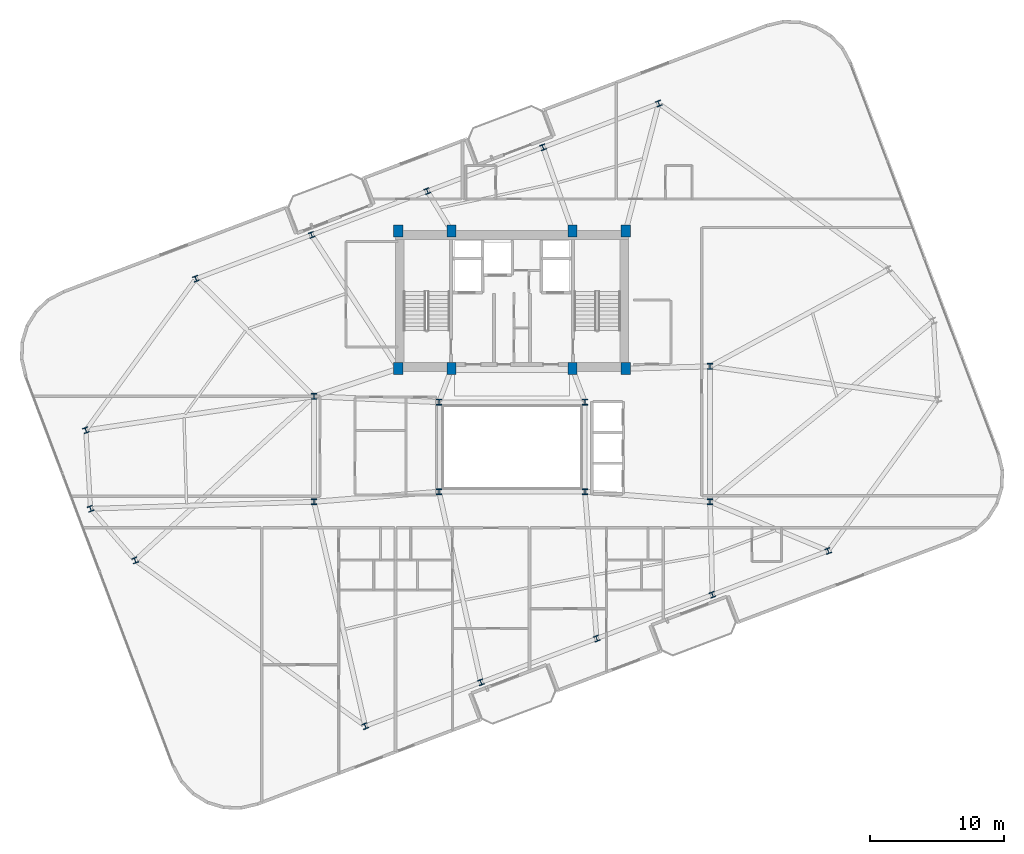
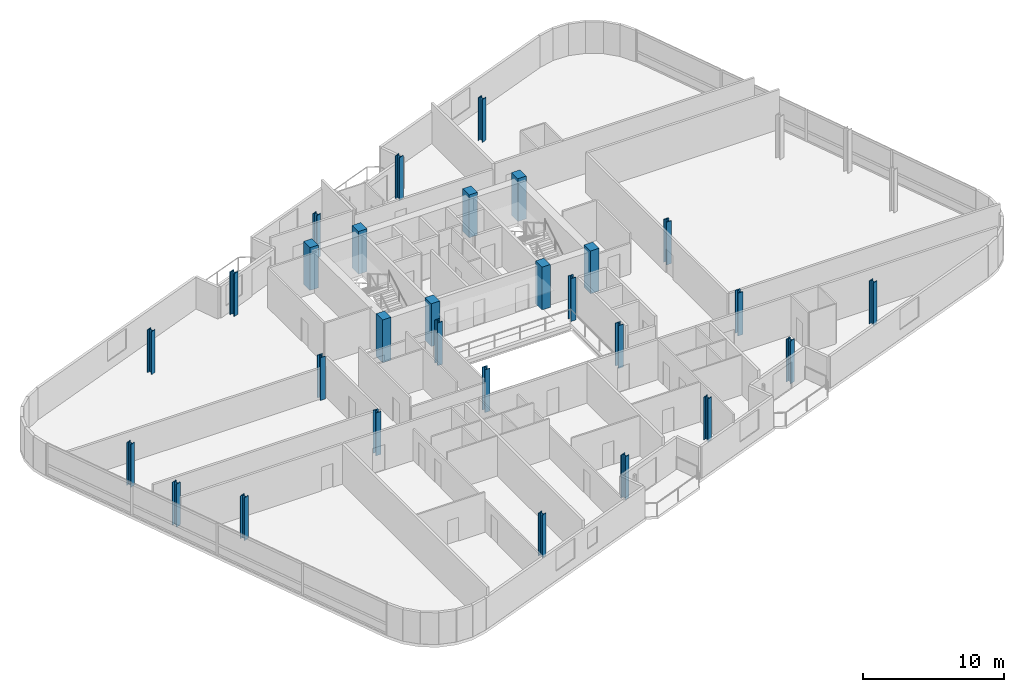
# One storey, part 1 of 20: 29 columns.
"""IFC4 building model written with IfcOpenShell, lengths in metres."""

from ifc_helpers import new_model, si_unit, direction, frame, origin, origin_2d, place, context, subcontext, project, spatial, rectangle, i_section, extrude, material, material_profile, profile_set, type_object, element, save


model = new_model("IFC4")

# Units and contexts
model_context = context("Model", 3, precision=1e-05, world=origin(), true_north=direction((0.0, 1.0)))
body_context = subcontext(model_context, "Body", "Model", "MODEL_VIEW")
ifc_project = project(units=[si_unit("LENGTHUNIT", "METRE"), si_unit("AREAUNIT", "SQUARE_METRE"), si_unit("VOLUMEUNIT", "CUBIC_METRE"), si_unit("PLANEANGLEUNIT", "RADIAN"), si_unit("MASSUNIT", "GRAM", prefix="KILO")], contexts=[model_context])

# Site, building, storey
site_placement = place(None, origin())
site = spatial("IfcSite", under=ifc_project, at=site_placement, CompositionType="ELEMENT")
building_placement = place(site_placement, origin())
building = spatial("IfcBuilding", under=site, at=building_placement, Name="Varnelok Gate Tower", CompositionType="ELEMENT")
storey_placement = place(building_placement, frame((0.0, 0.0, 216.39990234375)))
storey = spatial("IfcBuildingStorey", under=building, at=storey_placement, Name="L55", CompositionType="ELEMENT", Elevation=216.39990234375)

# Columns
ifc_material_1 = material(Name="Concrete C60/75", Category="concrete")
ifc_material_profile_1 = material_profile(ifc_material_1, rectangle(XDim=0.699951171875, YDim=0.89990234375, at=origin_2d()), Name="RC900X700")
ifc_profile_set_1 = profile_set([ifc_material_profile_1], Name="Concrete C60/75")
column_type_1 = type_object("IfcColumnType", Name="COL-RC900X700", PredefinedType="COLUMN", material=ifc_profile_set_1)
for number, where, z_axis, x_axis, name in (
    (1, (30.699951171875, 28.75, 0.0), (0.0, 0.0, 1.0), (1.0, 0.0, 0.0), "L55 Core Spine Column SC1"),
    (2, (34.679931640625, 28.75, 0.0), (0.0, 0.0, 1.0), (1.0, 0.0, 0.0), "L55 Core Spine Column SC2"),
    (3, (43.719970703125, 28.75, 0.0), (0.0, 0.0, 1.0), (1.0, 0.0, 0.0), "L55 Core Spine Column SC3"),
    (4, (47.699951171875, 28.75, 0.0), (0.0, 0.0, 1.0), (1.0, 0.0, 0.0), "L55 Core Spine Column SC4"),
    (5, (30.699951171875, 39.050048828125, 0.0), (0.0, 0.0, 1.0), (1.0, 0.0, 0.0), "L55 Core Spine Column SC5"),
    (6, (34.679931640625, 39.050048828125, 0.0), (0.0, 0.0, 1.0), (1.0, 0.0, 0.0), "L55 Core Spine Column SC6"),
    (7, (43.719970703125, 39.050048828125, 0.0), (0.0, 0.0, 1.0), (1.0, 0.0, 0.0), "L55 Core Spine Column SC7"),
    (8, (47.699951171875, 39.050048828125, 0.0), (0.0, 0.0, 1.0), (1.0, 0.0, 0.0), "L55 Core Spine Column SC8"),
):
    element("IfcColumn", number, at=place(storey_placement, frame(where, z_axis=z_axis, x_axis=x_axis)), inside=storey, type_object=column_type_1, Name=name, PredefinedType="COLUMN", context=body_context, shape_type="SweptSolid", body=[
        extrude(rectangle(XDim=0.699951171875, YDim=0.89990234375, at=origin_2d()), origin(), (0.0, 0.0, 1.0), 3.7001953125),
    ])
ifc_material_2 = material(Name="Structural Steel ASTM A992 Grade 50", Category="steel")
ifc_material_profile_2 = material_profile(ifc_material_2, i_section(OverallWidth=0.406005859375, OverallDepth=0.416015625, WebThickness=0.02978515625, FlangeThickness=0.048095703125, FilletRadius=0.02490234375, at=origin_2d()), Name="W14X257")
ifc_profile_set_2 = profile_set([ifc_material_profile_2], Name="Structural Steel ASTM A992 Grade 50")
column_type_2 = type_object("IfcColumnType", Name="COL-W14X257", PredefinedType="COLUMN", material=ifc_profile_set_2)
for number, where, z_axis, x_axis, name in (
    (9, (28.22900390625, 2.028076171875, 0.0), (0.0, 0.0, 1.0), (0.935221751401, 0.354062530786, 0.0), "L55 B5 Perimeter Column PC01"),
    (10, (36.8798828125, 5.30322265625, 0.0), (0.0, 0.0, 1.0), (0.935221751401, 0.354062530786, 0.0), "L55 B5 Perimeter Column PC02"),
    (11, (45.530517578125, 8.578125, 0.0), (0.0, 0.0, 1.0), (0.935221751401, 0.354062530786, 0.0), "L55 B5 Perimeter Column PC03"),
    (12, (54.181396484375, 11.853271484375, 0.0), (0.0, 0.0, 1.0), (0.935221751401, 0.354062530786, 0.0), "L55 B5 Perimeter Column PC04"),
    (13, (62.832275390625, 15.12841796875, 0.0), (0.0, 0.0, 1.0), (0.935221751401, 0.354062530786, 0.0), "L55 B5 Perimeter Column PC05"),
    (14, (50.1708984375, 48.572021484375, 0.0), (0.0, 0.0, 1.0), (0.935221751401, 0.354062530786, 0.0), "L55 B5 Perimeter Column PC09"),
    (15, (41.520263671875, 45.296875, 0.0), (0.0, 0.0, 1.0), (0.935221751401, 0.354062530786, 0.0), "L55 B5 Perimeter Column PC10"),
    (16, (32.869384765625, 42.021728515625, 0.0), (0.0, 0.0, 1.0), (0.935221751401, 0.354062530786, 0.0), "L55 B5 Perimeter Column PC11"),
    (17, (24.218505859375, 38.74658203125, 0.0), (0.0, 0.0, 1.0), (0.935221751401, 0.354062530786, 0.0), "L55 B5 Perimeter Column PC12"),
    (18, (15.56787109375, 35.4716796875, 0.0), (0.0, 0.0, 1.0), (0.935221751401, 0.354062530786, 0.0), "L55 B5 Perimeter Column PC13"),
    (19, (7.344970703125, 24.146484375, 0.0), (0.0, 0.0, 1.0), (0.935221751401, 0.354062530786, 0.0), "L55 B5 Perimeter Column PC14"),
    (20, (7.694580078125, 18.280517578125, 0.0), (0.0, 0.0, 1.0), (0.935221751401, 0.354062530786, 0.0), "L55 B5 Perimeter Column PC15"),
    (21, (11.027099609375, 14.42041015625, 0.0), (0.0, 0.0, 1.0), (0.935221751401, 0.354062530786, 0.0), "L55 B5 Perimeter Column PC16"),
):
    element("IfcColumn", number, at=place(storey_placement, frame(where, z_axis=z_axis, x_axis=x_axis)), inside=storey, type_object=column_type_2, Name=name, PredefinedType="COLUMN", context=body_context, shape_type="SweptSolid", body=[
        extrude(i_section(OverallWidth=0.406005859375, OverallDepth=0.416015625, WebThickness=0.02978515625, FlangeThickness=0.048095703125, FilletRadius=0.02490234375, at=origin_2d()), origin(), (0.0, 0.0, 1.0), 3.7001953125),
    ])
ifc_material_profile_3 = material_profile(ifc_material_2, i_section(OverallWidth=0.412109375, OverallDepth=0.43505859375, WebThickness=0.035888671875, FlangeThickness=0.057373046875, FilletRadius=0.02490234375, at=origin_2d()), Name="W14X311")
ifc_profile_set_3 = profile_set([ifc_material_profile_3], Name="Structural Steel ASTM A992 Grade 50")
column_type_3 = type_object("IfcColumnType", Name="COL-W14X311", PredefinedType="COLUMN", material=ifc_profile_set_3)
for number, where, z_axis, x_axis, name in (
    (22, (33.75, 19.550048828125, 0.0), (0.0, 0.0, 1.0), (1.0, 0.0, 0.0), "L55 Atrium Spine Column AC1"),
    (23, (44.64990234375, 19.550048828125, 0.0), (0.0, 0.0, 1.0), (1.0, 0.0, 0.0), "L55 Atrium Spine Column AC2"),
    (24, (33.75, 26.25, 0.0), (0.0, 0.0, 1.0), (1.0, 0.0, 0.0), "L55 Atrium Spine Column AC3"),
    (25, (44.64990234375, 26.25, 0.0), (0.0, 0.0, 1.0), (1.0, 0.0, 0.0), "L55 Atrium Spine Column AC4"),
    (26, (24.39990234375, 18.800048828125, 0.0), (0.0, 0.0, 1.0), (1.0, 0.0, 0.0), "L55 Wing Spine Column WS1"),
    (27, (24.39990234375, 26.679931640625, 0.0), (0.0, 0.0, 1.0), (1.0, 0.0, 0.0), "L55 Wing Spine Column WS2"),
    (28, (54.0, 18.800048828125, 0.0), (0.0, 0.0, 1.0), (1.0, 0.0, 0.0), "L55 Wing Spine Column ES1"),
    (29, (54.0, 28.919921875, 0.0), (0.0, 0.0, 1.0), (1.0, 0.0, 0.0), "L55 Wing Spine Column ES2"),
):
    element("IfcColumn", number, at=place(storey_placement, frame(where, z_axis=z_axis, x_axis=x_axis)), inside=storey, type_object=column_type_3, Name=name, PredefinedType="COLUMN", context=body_context, shape_type="SweptSolid", body=[
        extrude(i_section(OverallWidth=0.412109375, OverallDepth=0.43505859375, WebThickness=0.035888671875, FlangeThickness=0.057373046875, FilletRadius=0.02490234375, at=origin_2d()), origin(), (0.0, 0.0, 1.0), 3.7001953125),
    ])

save(model, "model.ifc")
